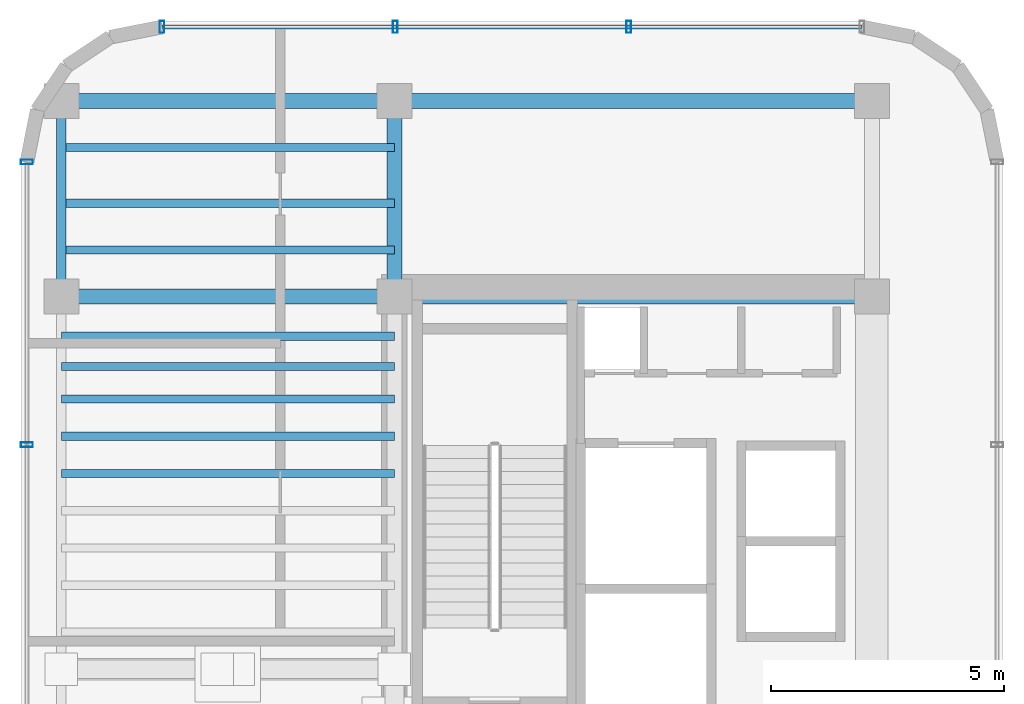
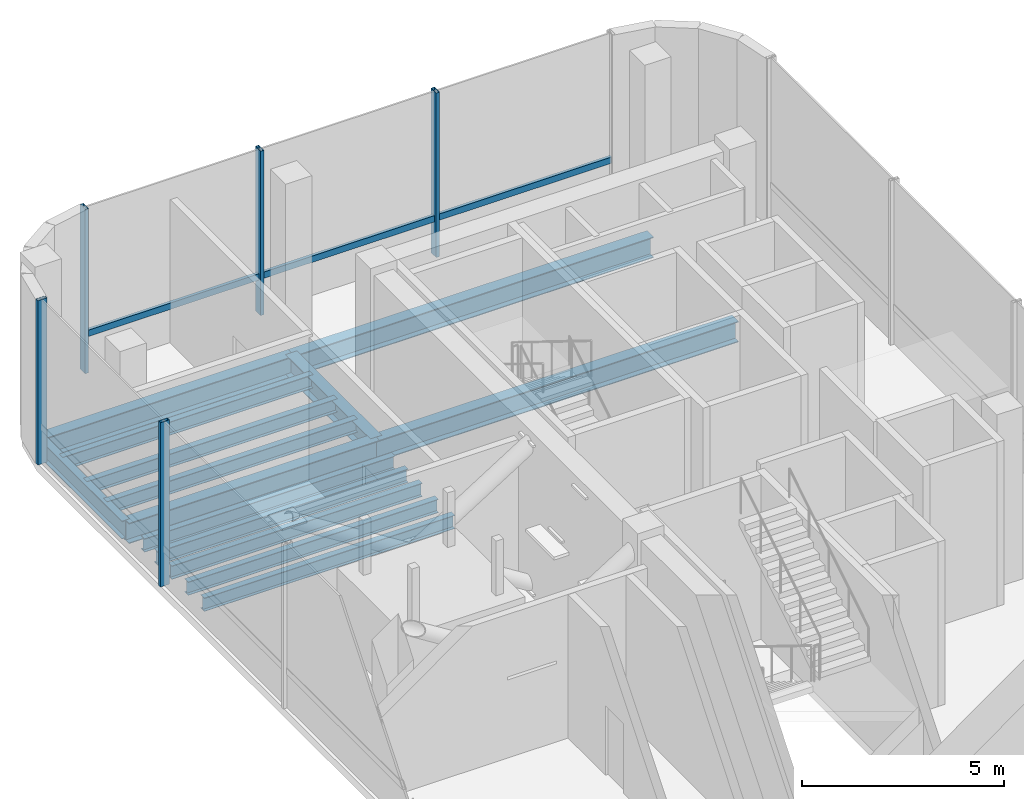
# One storey, part 7 of 13: 14 beams, 6 members, 2 elements without a shape of their own.
"""IFC4 building model written with IfcOpenShell, lengths in metres."""

from ifc_helpers import new_model, si_unit, direction, frame, origin, origin_2d, place, context, subcontext, project, spatial, hollow_rectangle, i_section, extrude, source, transform, mapped, material, material_profile, profile_set, type_object, element, aggregate, save


model = new_model("IFC4")

# Units and contexts
model_context = context("Model", 3, precision=1e-05, world=origin(), true_north=direction((0.0, 1.0)))
body_context = subcontext(model_context, "Body", "Model", "MODEL_VIEW")
ifc_project = project(units=[si_unit("LENGTHUNIT", "METRE"), si_unit("AREAUNIT", "SQUARE_METRE"), si_unit("VOLUMEUNIT", "CUBIC_METRE"), si_unit("PLANEANGLEUNIT", "RADIAN"), si_unit("MASSUNIT", "GRAM", prefix="KILO")], contexts=[model_context])

# Site, building, storey
site_placement = place(None, origin())
site = spatial("IfcSite", under=ifc_project, at=site_placement, CompositionType="ELEMENT")
building_placement = place(site_placement, origin())
building = spatial("IfcBuilding", under=site, at=building_placement, Name="Valdorenza Pilgrim Sanctuary Tower", CompositionType="ELEMENT")
storey_placement = place(building_placement, frame((0.0, 0.0, 294.199951171875)))
storey = spatial("IfcBuildingStorey", under=building, at=storey_placement, Name="L77", CompositionType="ELEMENT", Elevation=294.199951171875)

# Beams
ifc_material_1 = material(Name="Steel ASTM A992 Grade 50", Category="steel")
ifc_material_profile_1 = material_profile(ifc_material_1, i_section(OverallWidth=0.323974609375, OverallDepth=0.611083984375, WebThickness=0.0126953125, FlangeThickness=0.01904296875, at=origin_2d()), Name="W24X104")
ifc_profile_set_1 = profile_set([ifc_material_profile_1], Name="Steel ASTM A992 Grade 50")
beam_type_1 = type_object("IfcBeamType", Name="STR-BM-GRD-W24B", PredefinedType="BEAM", material=ifc_profile_set_1)
shared_shape_1 = source(origin(), body_context, "Body", "SweptSolid", [
    extrude(i_section(OverallWidth=0.323974609375, OverallDepth=0.611083984375, WebThickness=0.0126953125, FlangeThickness=0.01904296875, at=origin_2d()), origin(), (0.0, 0.0, 1.0), 4.199951171875),
])
beam_1_placement = place(storey_placement, frame((-22.64990234375, 10.60009765625, -0.54541015625), z_axis=(0.0, 1.0, 0.0), x_axis=(-1.0, 0.0, 0.0)))
element("IfcBeam", 1, at=beam_1_placement, inside=storey, type_object=beam_type_1, Name="L77 Core Tie Girder CA-W-N1N2", PredefinedType="BEAM", context=body_context, shape_type="MappedRepresentation", body=[
    mapped(shared_shape_1, transform((0.0, 0.0, 0.0), x_axis=(1.0, 0.0, 0.0), y_axis=(0.0, 1.0, 0.0), z_axis=(0.0, 0.0, 1.0), scale=1.0)),
])
ifc_material_profile_2 = material_profile(ifc_material_1, i_section(OverallWidth=0.2109375, OverallDepth=0.5390625, WebThickness=0.01171875, FlangeThickness=0.018798828125, at=origin_2d()), Name="W21X73")
ifc_profile_set_2 = profile_set([ifc_material_profile_2], Name="Steel ASTM A992 Grade 50")
beam_type_2 = type_object("IfcBeamType", Name="STR-BM-SPN-W21B", PredefinedType="SPANDREL", material=ifc_profile_set_2)
shared_shape_2 = source(origin(), body_context, "Body", "SweptSolid", [
    extrude(i_section(OverallWidth=0.2109375, OverallDepth=0.5390625, WebThickness=0.01171875, FlangeThickness=0.018798828125, at=origin_2d()), origin(), (0.0, 0.0, 1.0), 4.199951171875),
])
beam_2_placement = place(storey_placement, frame((-29.800048828125, 10.60009765625, -0.509521484375), z_axis=(0.0, 1.0, 0.0), x_axis=(-1.0, 0.0, 0.0)))
element("IfcBeam", 2, at=beam_2_placement, inside=storey, type_object=beam_type_2, Name="L77 Spandrel Beam WA-W-N1N2", PredefinedType="SPANDREL", context=body_context, shape_type="MappedRepresentation", body=[
    mapped(shared_shape_2, transform((0.0, 0.0, 0.0), x_axis=(1.0, 0.0, 0.0), y_axis=(0.0, 1.0, 0.0), z_axis=(0.0, 0.0, 1.0), scale=1.0)),
])
ifc_material_profile_3 = material_profile(ifc_material_1, i_section(OverallWidth=0.177978515625, OverallDepth=0.406005859375, WebThickness=0.0078125, FlangeThickness=0.0126953125, at=origin_2d()), Name="W16X40")
ifc_profile_set_3 = profile_set([ifc_material_profile_3], Name="Steel ASTM A992 Grade 50")
beam_type_3 = type_object("IfcBeamType", Name="STR-BM-JST-W16", PredefinedType="JOIST", material=ifc_profile_set_3)
shared_shape_3 = source(origin(), body_context, "Body", "SweptSolid", [
    extrude(i_section(OverallWidth=0.177978515625, OverallDepth=0.406005859375, WebThickness=0.0078125, FlangeThickness=0.0126953125, at=origin_2d()), origin(), (0.0, 0.0, 1.0), 7.150146484375),
])
for number, where, z_axis, x_axis, name in (
    (3, (-29.800048828125, 6.800048828125, -0.44287109375), (1.0, 0.0, 0.0), (0.0, 1.0, 0.0), "L77 Composite Floor Joist JST-WA-19"),
    (4, (-29.800048828125, 7.60009765625, -0.44287109375), (1.0, 0.0, 0.0), (0.0, 1.0, 0.0), "L77 Composite Floor Joist JST-WA-20"),
    (5, (-29.800048828125, 8.39990234375, -0.44287109375), (1.0, 0.0, 0.0), (0.0, 1.0, 0.0), "L77 Composite Floor Joist JST-WA-21"),
    (6, (-29.800048828125, 9.10009765625, -0.44287109375), (1.0, 0.0, 0.0), (0.0, 1.0, 0.0), "L77 Composite Floor Joist JST-WA-22"),
    (7, (-29.800048828125, 9.75, -0.44287109375), (1.0, 0.0, 0.0), (0.0, 1.0, 0.0), "L77 Composite Floor Joist JST-WA-23"),
    (8, (-29.800048828125, 11.60009765625, -0.44287109375), (1.0, 0.0, 0.0), (0.0, 1.0, 0.0), "L77 Composite Floor Joist JST-WA-24"),
    (9, (-29.800048828125, 12.60009765625, -0.44287109375), (1.0, 0.0, 0.0), (0.0, 1.0, 0.0), "L77 Composite Floor Joist JST-WA-25"),
    (10, (-29.800048828125, 13.800048828125, -0.44287109375), (1.0, 0.0, 0.0), (0.0, 1.0, 0.0), "L77 Composite Floor Joist JST-WA-26"),
):
    element("IfcBeam", number, at=place(storey_placement, frame(where, z_axis=z_axis, x_axis=x_axis)), inside=storey, type_object=beam_type_3, Name=name, PredefinedType="JOIST", context=body_context, shape_type="MappedRepresentation", body=[
        mapped(shared_shape_3, transform((0.0, 0.0, 0.0), x_axis=(1.0, 0.0, 0.0), y_axis=(0.0, 1.0, 0.0), z_axis=(0.0, 0.0, 1.0), scale=1.0)),
    ])
ifc_material_profile_4 = material_profile(ifc_material_1, i_section(OverallWidth=0.326904296875, OverallDepth=0.6220703125, WebThickness=0.015380859375, FlangeThickness=0.0244140625, at=origin_2d()), Name="W24X131")
ifc_profile_set_4 = profile_set([ifc_material_profile_4], Name="Steel ASTM A992 Grade 50")
beam_type_4 = type_object("IfcBeamType", Name="STR-BM-GRD-W24A", PredefinedType="BEAM", material=ifc_profile_set_4)
shared_shape_4 = source(origin(), body_context, "Body", "SweptSolid", [
    extrude(i_section(OverallWidth=0.326904296875, OverallDepth=0.6220703125, WebThickness=0.015380859375, FlangeThickness=0.0244140625, at=origin_2d()), origin(), (0.0, 0.0, 1.0), 7.150146484375),
])
for number, where, z_axis, x_axis, name in (
    (11, (-29.800048828125, 10.60009765625, -0.551025390625), (1.0, 0.0, 0.0), (0.0, 1.0, 0.0), "L77 Floor Girder WA-XW-N1"),
    (12, (-29.800048828125, 14.800048828125, -0.551025390625), (1.0, 0.0, 0.0), (0.0, 1.0, 0.0), "L77 Floor Girder WA-XW-N2"),
):
    element("IfcBeam", number, at=place(storey_placement, frame(where, z_axis=z_axis, x_axis=x_axis)), inside=storey, type_object=beam_type_4, Name=name, PredefinedType="BEAM", context=body_context, shape_type="MappedRepresentation", body=[
        mapped(shared_shape_4, transform((0.0, 0.0, 0.0), x_axis=(1.0, 0.0, 0.0), y_axis=(0.0, 1.0, 0.0), z_axis=(0.0, 0.0, 1.0), scale=1.0)),
    ])
shared_shape_5 = source(origin(), body_context, "Body", "SweptSolid", [
    extrude(i_section(OverallWidth=0.326904296875, OverallDepth=0.6220703125, WebThickness=0.015380859375, FlangeThickness=0.0244140625, at=origin_2d()), origin(), (0.0, 0.0, 1.0), 10.25),
])
for number, where, z_axis, x_axis, name in (
    (13, (-22.64990234375, 10.60009765625, -0.551025390625), (1.0, 0.0, 0.0), (0.0, 1.0, 0.0), "L77 Floor Girder CA-XC-N1"),
    (14, (-22.64990234375, 14.800048828125, -0.551025390625), (1.0, 0.0, 0.0), (0.0, 1.0, 0.0), "L77 Floor Girder CA-XC-N2"),
):
    element("IfcBeam", number, at=place(storey_placement, frame(where, z_axis=z_axis, x_axis=x_axis)), inside=storey, type_object=beam_type_4, Name=name, PredefinedType="BEAM", context=body_context, shape_type="MappedRepresentation", body=[
        mapped(shared_shape_5, transform((0.0, 0.0, 0.0), x_axis=(1.0, 0.0, 0.0), y_axis=(0.0, 1.0, 0.0), z_axis=(0.0, 0.0, 1.0), scale=1.0)),
    ])

# Curtain wall, members
ifc_material_2 = material(Name="Curtain-wall IGU glazing", Category="glass")
curtain_wall_type = type_object("IfcCurtainWallType", Name="CW-SYS-06", PredefinedType="NOTDEFINED", material=ifc_material_2)
curtain_wall_1_placement = place(storey_placement, origin())
curtain_wall_1 = element("IfcCurtainWall", 15, at=curtain_wall_1_placement, inside=storey, type_object=curtain_wall_type, Name="L77 Curtain Wall CW-L77-1-1", PredefinedType="NOTDEFINED")
ifc_material_3 = material(Name="Anodised aluminium AW-6060", Category="aluminium")
ifc_material_profile_5 = material_profile(ifc_material_3, hollow_rectangle(XDim=0.10009765625, YDim=0.260009765625, WallThickness=0.006103515625, at=origin_2d()), Name="ALU-M 260x100x6")
ifc_profile_set_5 = profile_set([ifc_material_profile_5], Name="Anodised aluminium AW-6060")
member_type_1 = type_object("IfcMemberType", Name="CW-MUL-06", PredefinedType="MULLION", material=ifc_profile_set_5)
shared_shape_6 = source(origin(), body_context, "Body", "SweptSolid", [
    extrude(hollow_rectangle(XDim=0.10009765625, YDim=0.260009765625, WallThickness=0.006103515625, at=origin_2d()), origin(), (0.0, 0.0, 1.0), 4.9599609375),
])
member_1_placement = place(storey_placement, frame((-30.5400390625, 7.419677734375, 0.0), z_axis=(0.0, 0.0, 1.0), x_axis=(0.0, 1.0, 0.0)))
member_1 = element("IfcMember", 16, at=member_1_placement, type_object=member_type_1, Name="CW-L77-1-1 Mullion 4", PredefinedType="MULLION", context=body_context, shape_type="MappedRepresentation", body=[
    mapped(shared_shape_6, transform((0.0, 0.0, 0.0), x_axis=(1.0, 0.0, 0.0), y_axis=(0.0, 1.0, 0.0), z_axis=(0.0, 0.0, 1.0), scale=1.0)),
])
member_2_placement = place(storey_placement, frame((-30.5400390625, 13.4892578125, 0.0), z_axis=(0.0, 0.0, 1.0), x_axis=(0.0, 1.0, 0.0)))
member_2 = element("IfcMember", 17, at=member_2_placement, type_object=member_type_1, Name="CW-L77-1-1 Mullion 5", PredefinedType="MULLION", context=body_context, shape_type="MappedRepresentation", body=[
    mapped(shared_shape_6, transform((0.0, 0.0, 0.0), x_axis=(1.0, 0.0, 0.0), y_axis=(0.0, 1.0, 0.0), z_axis=(0.0, 0.0, 1.0), scale=1.0)),
])
aggregate(curtain_wall_1, [member_1, member_2])

curtain_wall_2_placement = place(storey_placement, origin())
curtain_wall_2 = element("IfcCurtainWall", 18, at=curtain_wall_2_placement, inside=storey, type_object=curtain_wall_type, Name="L77 Curtain Wall CW-L77-1-6", PredefinedType="NOTDEFINED")
member_3_placement = place(storey_placement, frame((-27.63916015625, 16.389892578125, 0.0), z_axis=(0.0, 0.0, 1.0), x_axis=(1.0, 0.0, 0.0)))
member_3 = element("IfcMember", 19, at=member_3_placement, type_object=member_type_1, Name="CW-L77-1-6 Mullion 1", PredefinedType="MULLION", context=body_context, shape_type="MappedRepresentation", body=[
    mapped(shared_shape_6, transform((0.0, 0.0, 0.0), x_axis=(1.0, 0.0, 0.0), y_axis=(0.0, 1.0, 0.0), z_axis=(0.0, 0.0, 1.0), scale=1.0)),
])
member_4_placement = place(storey_placement, frame((-22.629638671875, 16.389892578125, 0.0), z_axis=(0.0, 0.0, 1.0), x_axis=(1.0, 0.0, 0.0)))
member_4 = element("IfcMember", 20, at=member_4_placement, type_object=member_type_1, Name="CW-L77-1-6 Mullion 2", PredefinedType="MULLION", context=body_context, shape_type="MappedRepresentation", body=[
    mapped(shared_shape_6, transform((0.0, 0.0, 0.0), x_axis=(1.0, 0.0, 0.0), y_axis=(0.0, 1.0, 0.0), z_axis=(0.0, 0.0, 1.0), scale=1.0)),
])
member_5_placement = place(storey_placement, frame((-17.620361328125, 16.389892578125, 0.0), z_axis=(0.0, 0.0, 1.0), x_axis=(1.0, 0.0, 0.0)))
member_5 = element("IfcMember", 21, at=member_5_placement, type_object=member_type_1, Name="CW-L77-1-6 Mullion 3", PredefinedType="MULLION", context=body_context, shape_type="MappedRepresentation", body=[
    mapped(shared_shape_6, transform((0.0, 0.0, 0.0), x_axis=(1.0, 0.0, 0.0), y_axis=(0.0, 1.0, 0.0), z_axis=(0.0, 0.0, 1.0), scale=1.0)),
])
ifc_material_profile_6 = material_profile(ifc_material_3, hollow_rectangle(XDim=0.090087890625, YDim=0.18994140625, WallThickness=0.00439453125, at=origin_2d()), Name="ALU-T 190x90x4.5")
ifc_profile_set_6 = profile_set([ifc_material_profile_6], Name="Anodised aluminium AW-6060")
member_type_2 = type_object("IfcMemberType", Name="CW-TRN-06", PredefinedType="USERDEFINED", material=ifc_profile_set_6)
shared_shape_7 = source(origin(), body_context, "Body", "SweptSolid", [
    extrude(hollow_rectangle(XDim=0.090087890625, YDim=0.18994140625, WallThickness=0.00439453125, at=origin_2d()), origin(), (0.0, 0.0, 1.0), 15.0283203125),
])
member_6_placement = place(storey_placement, frame((-27.63916015625, 16.389892578125, 1.1201171875), z_axis=(1.0, 0.0, 0.0), x_axis=(0.0, 1.0, 0.0)))
member_6 = element("IfcMember", 22, at=member_6_placement, type_object=member_type_2, Name="CW-L77-1-6 Transom 1", ObjectType="TRANSOM", PredefinedType="USERDEFINED", context=body_context, shape_type="MappedRepresentation", body=[
    mapped(shared_shape_7, transform((0.0, 0.0, 0.0), x_axis=(1.0, 0.0, 0.0), y_axis=(0.0, 1.0, 0.0), z_axis=(0.0, 0.0, 1.0), scale=1.0)),
])
aggregate(curtain_wall_2, [member_3, member_4, member_5, member_6])

save(model, "model.ifc")
